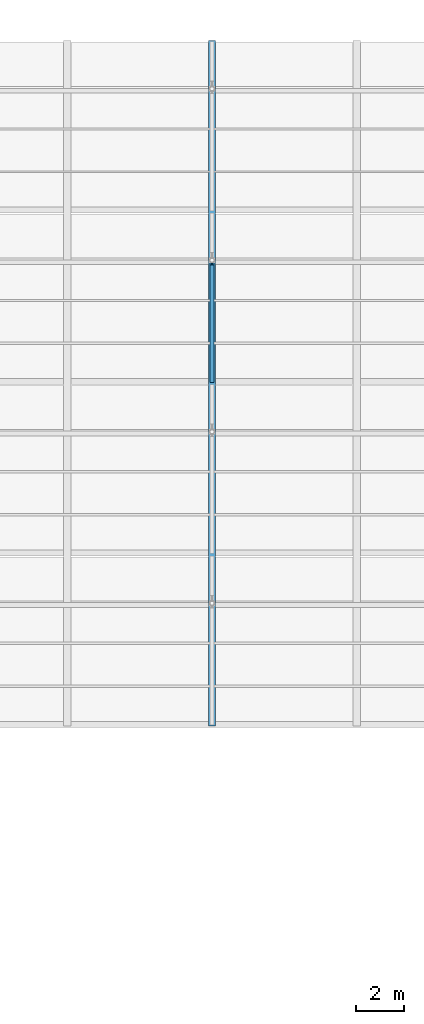
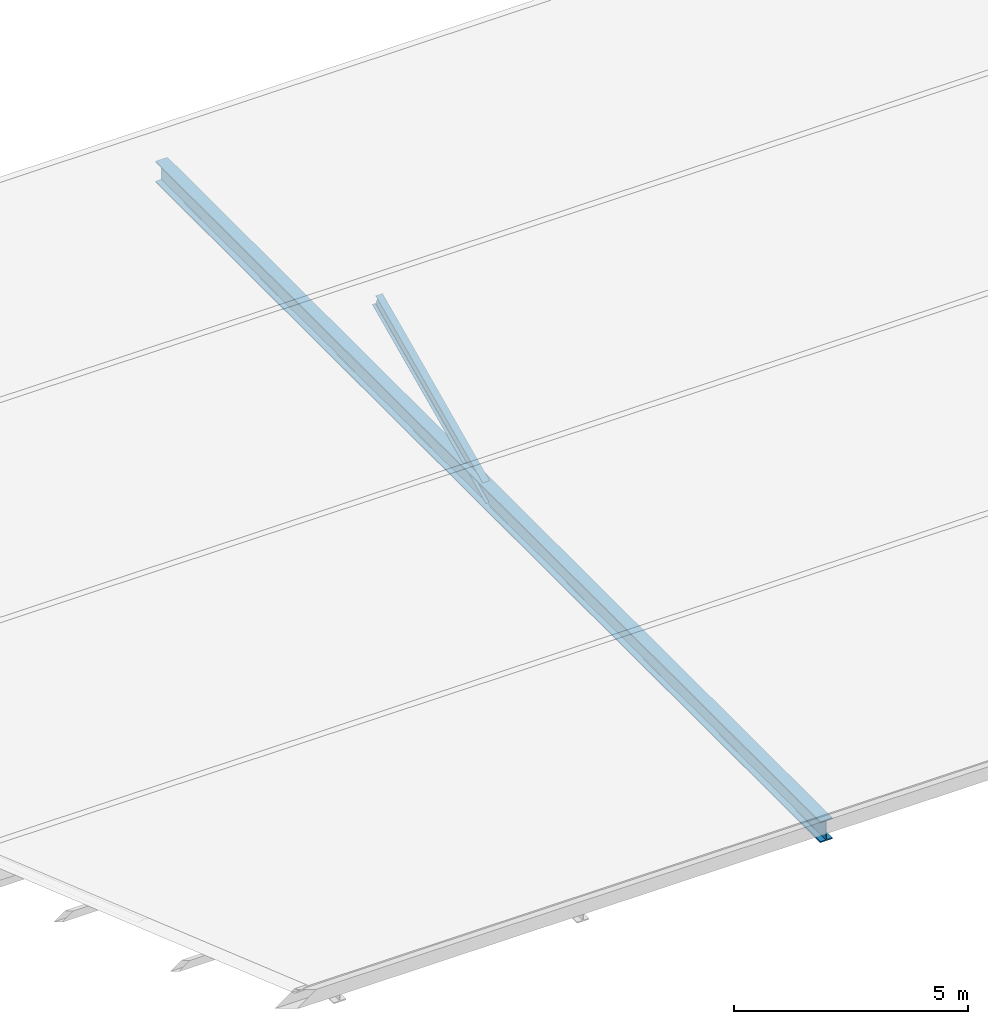
# One storey, part 76 of 138: 2 beams.
"""IFC4 building model written with IfcOpenShell, lengths in metres."""

from ifc_helpers import new_model, si_unit, direction, frame, origin, origin_2d, place, context, subcontext, project, spatial, i_section, extrude, material, material_profile, profile_set, type_object, element, save


model = new_model("IFC4")

# Units and contexts
model_context = context("Model", 3, precision=1e-05, world=origin(), true_north=direction((0.0, 1.0)))
body_context = subcontext(model_context, "Body", "Model", "MODEL_VIEW")
ifc_project = project(units=[si_unit("LENGTHUNIT", "METRE"), si_unit("AREAUNIT", "SQUARE_METRE"), si_unit("VOLUMEUNIT", "CUBIC_METRE"), si_unit("PLANEANGLEUNIT", "RADIAN"), si_unit("MASSUNIT", "GRAM", prefix="KILO")], contexts=[model_context])

# Site, building, storey
site_placement = place(None, origin())
site = spatial("IfcSite", under=ifc_project, at=site_placement, CompositionType="ELEMENT")
building_placement = place(site_placement, origin())
building = spatial("IfcBuilding", under=site, at=building_placement, Name="Vinh Khe Railworks Police Headquarters", CompositionType="ELEMENT")
storey_placement = place(building_placement, frame((0.0, 0.0, 9.0)))
storey = spatial("IfcBuildingStorey", under=building, at=storey_placement, Name="L02", CompositionType="ELEMENT", Elevation=9.0)

# Beams
ifc_material = material(Name="Steel S355JR", Category="steel")
ifc_material_profile_1 = material_profile(ifc_material, i_section(OverallWidth=0.300048828125, OverallDepth=0.550048828125, WebThickness=0.014892578125, FlangeThickness=0.029052734375, FilletRadius=0.027099609375, at=origin_2d()), Name="HEB 550")
ifc_profile_set_1 = profile_set([ifc_material_profile_1], Name="Steel S355JR")
beam_type_1 = type_object("IfcBeamType", Name="Steel Girder HEB 550", PredefinedType="BEAM", material=ifc_profile_set_1)
beam_1_placement = place(storey_placement, frame((46.199951171875, 138.0, 0.199951171875), z_axis=(0.0, 1.0, 0.0), x_axis=(-1.0, 0.0, 0.0)))
element("IfcBeam", 1, at=beam_1_placement, inside=storey, type_object=beam_type_1, Name="Sawtooth Carrier Girder X=46.2", PredefinedType="BEAM", context=body_context, shape_type="SweptSolid", body=[
    extrude(i_section(OverallWidth=0.300048828125, OverallDepth=0.550048828125, WebThickness=0.014892578125, FlangeThickness=0.029052734375, FilletRadius=0.027099609375, at=origin_2d()), origin(), (0.0, 0.0, 1.0), 28.39990234375),
])
ifc_material_profile_2 = material_profile(ifc_material, i_section(OverallWidth=0.169921875, OverallDepth=0.360107421875, WebThickness=0.008056640625, FlangeThickness=0.0126953125, FilletRadius=0.01806640625, at=origin_2d()), Name="IPE 360")
ifc_profile_set_2 = profile_set([ifc_material_profile_2], Name="Steel S355JR")
beam_type_2 = type_object("IfcBeamType", Name="Steel Girder IPE 360", PredefinedType="BEAM", material=ifc_profile_set_2)
beam_2_placement = place(storey_placement, frame((46.199951171875, 152.320068359375, 0.179931640625), z_axis=(0.0, 0.908174250162, 0.418592321171), x_axis=(-1.0, 0.0, 0.0)))
element("IfcBeam", 2, at=beam_2_placement, inside=storey, type_object=beam_type_2, Name="Sawtooth Slope Girder 3S", PredefinedType="BEAM", context=body_context, shape_type="SweptSolid", body=[
    extrude(i_section(OverallWidth=0.169921875, OverallDepth=0.360107421875, WebThickness=0.008056640625, FlangeThickness=0.0126953125, FilletRadius=0.01806640625, at=origin_2d()), origin(), (0.0, 0.0, 1.0), 5.351318359375),
])

save(model, "model.ifc")
